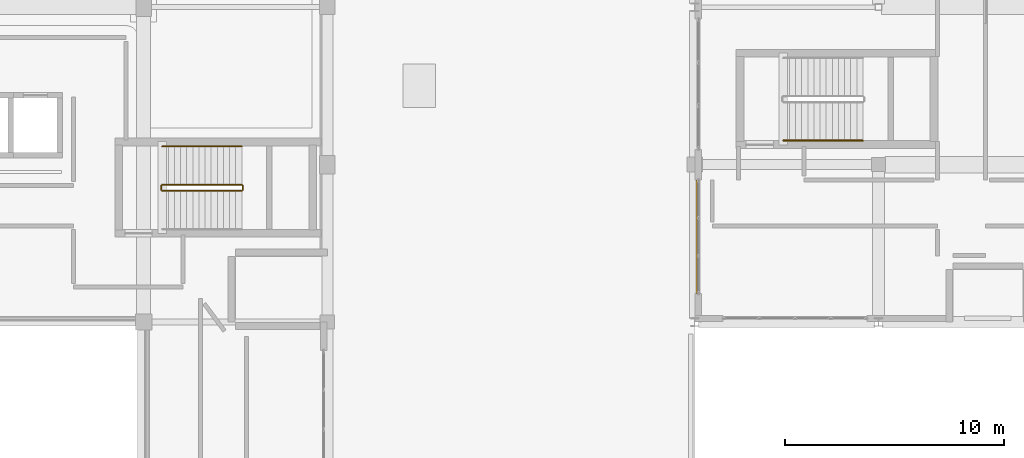
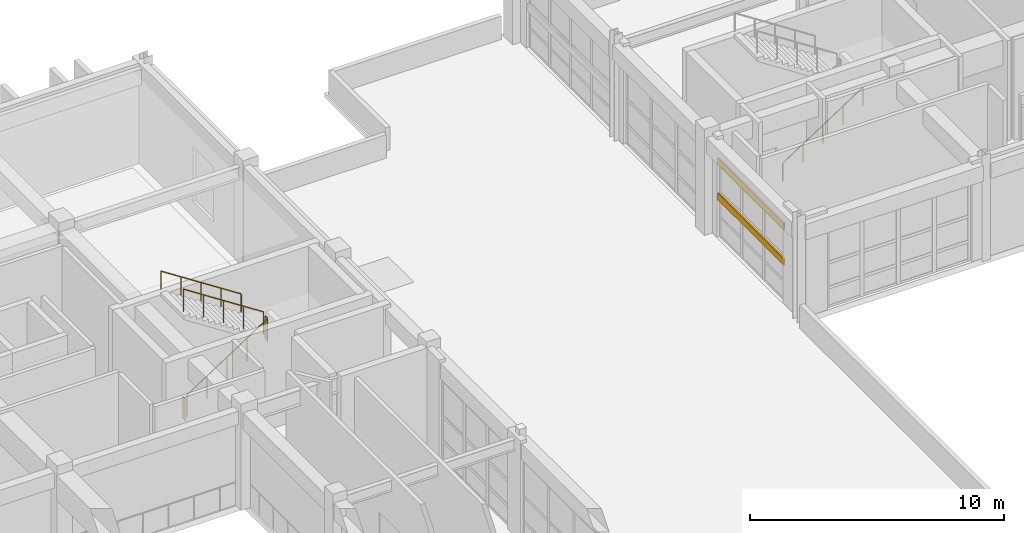
# One storey, part 75 of 78: 6 railings, 2 shading devices.
"""IFC4 building model written with IfcOpenShell, lengths in metres."""

from ifc_helpers import new_model, si_unit, direction, frame, origin, origin_2d, place, context, subcontext, project, spatial, hollow_rectangle, circle, extrude, material, material_profile, profile_set, type_object, element, save


model = new_model("IFC4")

# Units and contexts
model_context = context("Model", 3, precision=1e-05, world=origin(), true_north=direction((0.0, 1.0)))
body_context = subcontext(model_context, "Body", "Model", "MODEL_VIEW")
ifc_project = project(units=[si_unit("LENGTHUNIT", "METRE"), si_unit("AREAUNIT", "SQUARE_METRE"), si_unit("VOLUMEUNIT", "CUBIC_METRE"), si_unit("PLANEANGLEUNIT", "RADIAN"), si_unit("MASSUNIT", "GRAM", prefix="KILO")], contexts=[model_context])

# Site, building, storey
site_placement = place(None, origin())
site = spatial("IfcSite", under=ifc_project, at=site_placement, CompositionType="ELEMENT")
building_placement = place(site_placement, origin())
building = spatial("IfcBuilding", under=site, at=building_placement, Name="Quendrovan Civic Courthouse", CompositionType="ELEMENT")
storey_placement = place(building_placement, frame((0.0, 0.0, 10.199951171875)))
storey = spatial("IfcBuildingStorey", under=building, at=storey_placement, Name="L03", CompositionType="ELEMENT", Elevation=10.199951171875)

# Railings
ifc_material_1 = material(Name="Painted galvanized steel", Category="steel")
railing_type_1 = type_object("IfcRailingType", Name="RL-STR-GUARD1100", PredefinedType="GUARDRAIL", material=ifc_material_1)
railing_1_placement = place(storey_placement, frame((84.85009765625, 93.60009765625, 0.18212890625)))
element("IfcRailing", 1, at=railing_1_placement, inside=storey, type_object=railing_type_1, Name="L03 ST3 stair guard 1", PredefinedType="GUARDRAIL", context=body_context, shape_type="SweptSolid", body=[
    extrude(circle(Radius=0.02392578125, at=origin_2d()), frame((0.0, 0.0, 1.076171875), z_axis=(0.838234174257, 0.0, 0.545310433706), x_axis=(0.0, 1.0, 0.0)), (0.0, 0.0, 1.0), 4.34228515625),
    extrude(circle(Radius=0.02099609375, at=origin_2d()), origin(), (0.0, 0.0, 1.0), 1.052001953125),
    extrude(circle(Radius=0.02099609375, at=origin_2d()), frame((0.909912109375, 0.0, 0.592041015625)), (0.0, 0.0, 1.0), 1.052001953125),
    extrude(circle(Radius=0.02099609375, at=origin_2d()), frame((1.81982421875, 0.0, 1.18408203125)), (0.0, 0.0, 1.0), 1.052001953125),
    extrude(circle(Radius=0.02099609375, at=origin_2d()), frame((2.72998046875, 0.0, 1.77587890625)), (0.0, 0.0, 1.0), 1.052001953125),
    extrude(circle(Radius=0.02099609375, at=origin_2d()), frame((3.639892578125, 0.0, 2.367919921875)), (0.0, 0.0, 1.0), 1.052001953125),
])
railing_2_placement = place(storey_placement, frame((88.5400390625, 93.64990234375, 2.550048828125)))
element("IfcRailing", 2, at=railing_2_placement, inside=storey, type_object=railing_type_1, Name="L03 ST3 stair guard 2", PredefinedType="GUARDRAIL", context=body_context, shape_type="SweptSolid", body=[
    extrude(circle(Radius=0.02392578125, at=origin_2d()), frame((0.0, 0.0, 1.076171875), z_axis=(0.0, 1.0, 0.0), x_axis=(-1.0, 0.0, 0.0)), (0.0, 0.0, 1.0), 0.18017578125),
    extrude(circle(Radius=0.02099609375, at=origin_2d()), origin(), (0.0, 0.0, 1.0), 1.052001953125),
    extrude(circle(Radius=0.02099609375, at=origin_2d()), frame((0.0, 0.18017578125, 0.0)), (0.0, 0.0, 1.0), 1.052001953125),
])
railing_3_placement = place(storey_placement, frame((88.489990234375, 93.8798828125, 2.732177734375)))
element("IfcRailing", 3, at=railing_3_placement, inside=storey, type_object=railing_type_1, Name="L03 ST3 stair guard 3", PredefinedType="GUARDRAIL", context=body_context, shape_type="SweptSolid", body=[
    extrude(circle(Radius=0.02392578125, at=origin_2d()), frame((0.0, 0.0, 1.076171875), z_axis=(-0.838234174257, 0.0, 0.545310433706), x_axis=(0.0, -1.0, 0.0)), (0.0, 0.0, 1.0), 4.34228515625),
    extrude(circle(Radius=0.02099609375, at=origin_2d()), origin(), (0.0, 0.0, 1.0), 1.052001953125),
    extrude(circle(Radius=0.02099609375, at=origin_2d()), frame((-0.909912109375, 0.0, 0.592041015625)), (0.0, 0.0, 1.0), 1.052001953125),
    extrude(circle(Radius=0.02099609375, at=origin_2d()), frame((-1.81982421875, 0.0, 1.18408203125)), (0.0, 0.0, 1.0), 1.052001953125),
    extrude(circle(Radius=0.02099609375, at=origin_2d()), frame((-2.72998046875, 0.0, 1.77587890625)), (0.0, 0.0, 1.0), 1.052001953125),
    extrude(circle(Radius=0.02099609375, at=origin_2d()), frame((-3.639892578125, 0.0, 2.367919921875)), (0.0, 0.0, 1.0), 1.052001953125),
])
railing_4_placement = place(storey_placement, frame((84.800048828125, 93.64990234375, 0.0)))
element("IfcRailing", 4, at=railing_4_placement, inside=storey, type_object=railing_type_1, Name="L03 ST3 stair guard 4", PredefinedType="GUARDRAIL", context=body_context, shape_type="SweptSolid", body=[
    extrude(circle(Radius=0.02392578125, at=origin_2d()), frame((0.0, 0.0, 1.076171875), z_axis=(0.0, 1.0, 0.0), x_axis=(-1.0, 0.0, 0.0)), (0.0, 0.0, 1.0), 0.18017578125),
    extrude(circle(Radius=0.02099609375, at=origin_2d()), origin(), (0.0, 0.0, 1.0), 1.052001953125),
    extrude(circle(Radius=0.02099609375, at=origin_2d()), frame((0.0, 0.18017578125, 0.0)), (0.0, 0.0, 1.0), 1.052001953125),
])
ifc_material_2 = material(Name="Bronze anodised aluminium", Category="aluminium")
railing_type_2 = type_object("IfcRailingType", Name="RL-STR-HAND900", PredefinedType="HANDRAIL", material=ifc_material_2)
railing_5_placement = place(storey_placement, frame((88.489990234375, 95.6298828125, 2.732177734375)))
element("IfcRailing", 5, at=railing_5_placement, inside=storey, type_object=railing_type_2, Name="L03 ST3 stair handrail 2", PredefinedType="HANDRAIL", context=body_context, shape_type="SweptSolid", body=[
    extrude(circle(Radius=0.02392578125, at=origin_2d()), frame((0.0, 0.0, 0.8759765625), z_axis=(-0.838234174257, 0.0, 0.545310433706), x_axis=(0.0, -1.0, 0.0)), (0.0, 0.0, 1.0), 4.34228515625),
    extrude(circle(Radius=0.02099609375, at=origin_2d()), origin(), (0.0, 0.0, 1.0), 0.851806640625),
    extrude(circle(Radius=0.02099609375, at=origin_2d()), frame((-0.909912109375, 0.0, 0.592041015625)), (0.0, 0.0, 1.0), 0.851806640625),
    extrude(circle(Radius=0.02099609375, at=origin_2d()), frame((-1.81982421875, 0.0, 1.18408203125)), (0.0, 0.0, 1.0), 0.851806640625),
    extrude(circle(Radius=0.02099609375, at=origin_2d()), frame((-2.72998046875, 0.0, 1.77587890625)), (0.0, 0.0, 1.0), 0.851806640625),
    extrude(circle(Radius=0.02099609375, at=origin_2d()), frame((-3.639892578125, 0.0, 2.367919921875)), (0.0, 0.0, 1.0), 0.851806640625),
])
railing_6_placement = place(storey_placement, frame((113.25, 95.89990234375, 0.18212890625)))
element("IfcRailing", 6, at=railing_6_placement, inside=storey, type_object=railing_type_2, Name="L03 ST6 stair handrail 1", PredefinedType="HANDRAIL", context=body_context, shape_type="SweptSolid", body=[
    extrude(circle(Radius=0.02392578125, at=origin_2d()), frame((0.0, 0.0, 0.8759765625), z_axis=(0.838234174257, 0.0, 0.545310433706), x_axis=(0.0, 1.0, 0.0)), (0.0, 0.0, 1.0), 4.34228515625),
    extrude(circle(Radius=0.02099609375, at=origin_2d()), origin(), (0.0, 0.0, 1.0), 0.851806640625),
    extrude(circle(Radius=0.02099609375, at=origin_2d()), frame((0.909912109375, 0.0, 0.592041015625)), (0.0, 0.0, 1.0), 0.851806640625),
    extrude(circle(Radius=0.02099609375, at=origin_2d()), frame((1.81982421875, 0.0, 1.18408203125)), (0.0, 0.0, 1.0), 0.851806640625),
    extrude(circle(Radius=0.02099609375, at=origin_2d()), frame((2.72998046875, 0.0, 1.77587890625)), (0.0, 0.0, 1.0), 0.851806640625),
    extrude(circle(Radius=0.02099609375, at=origin_2d()), frame((3.639892578125, 0.0, 2.367919921875)), (0.0, 0.0, 1.0), 0.851806640625),
])

# Shading devices
ifc_material_profile = material_profile(ifc_material_2, hollow_rectangle(XDim=0.06494140625, YDim=0.320068359375, WallThickness=0.0048828125, at=origin_2d()), Name="AL-LOUVRE-65x320")
ifc_profile_set = profile_set([ifc_material_profile], Name="Bronze anodised aluminium")
shading_device_type = type_object("IfcShadingDeviceType", Name="SHD-STORM-LOUVRE", PredefinedType="JALOUSIE", material=ifc_profile_set)
for number, where, z_axis, x_axis, name in (
    (7, (109.284912109375, 88.89990234375, 1.949951171875), (0.0, 1.0, 0.0), (-1.0, 0.0, 0.0), "L03 Bronze Hurricane Storm Louvre SLV-141"),
    (8, (109.284912109375, 88.89990234375, 3.650146484375), (0.0, 1.0, 0.0), (-1.0, 0.0, 0.0), "L03 Bronze Hurricane Storm Louvre SLV-142"),
):
    element("IfcShadingDevice", number, at=place(storey_placement, frame(where, z_axis=z_axis, x_axis=x_axis)), inside=storey, type_object=shading_device_type, Name=name, PredefinedType="JALOUSIE", context=body_context, shape_type="SweptSolid", body=[
        extrude(hollow_rectangle(XDim=0.06494140625, YDim=0.320068359375, WallThickness=0.0048828125, at=origin_2d()), origin(), (0.0, 0.0, 1.0), 5.2001953125),
    ])

save(model, "model.ifc")
